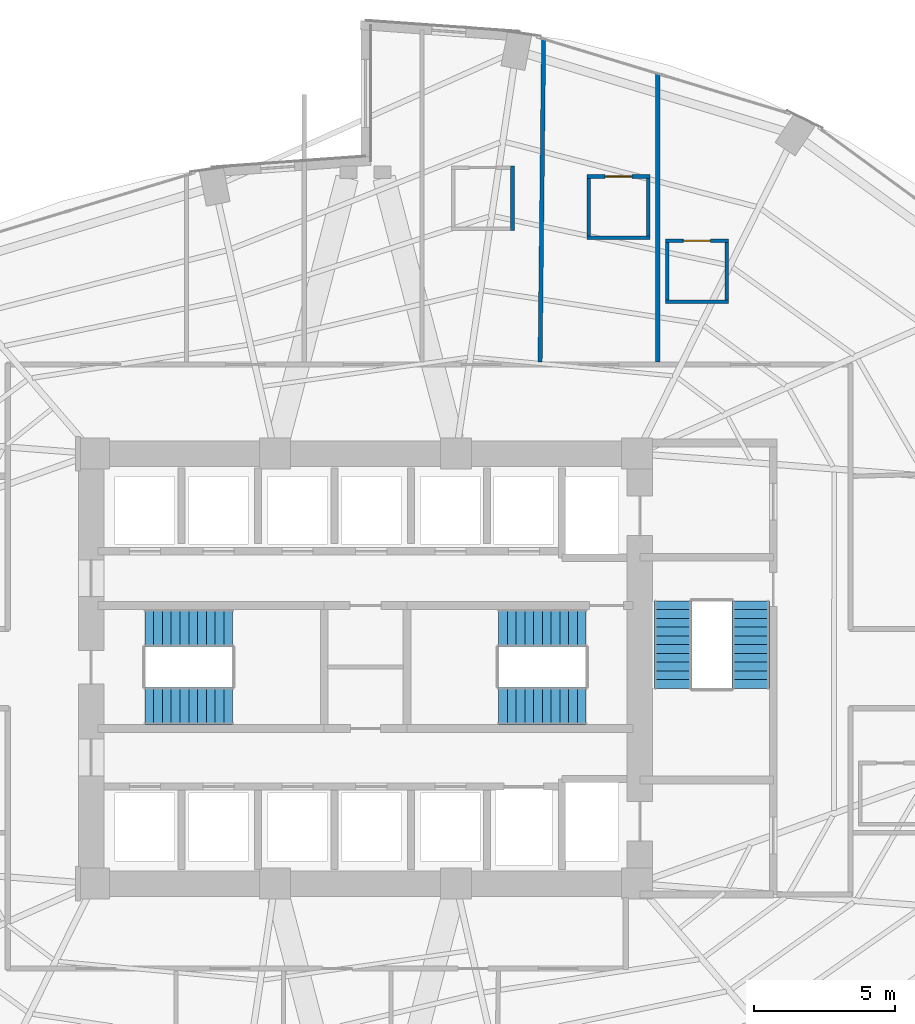
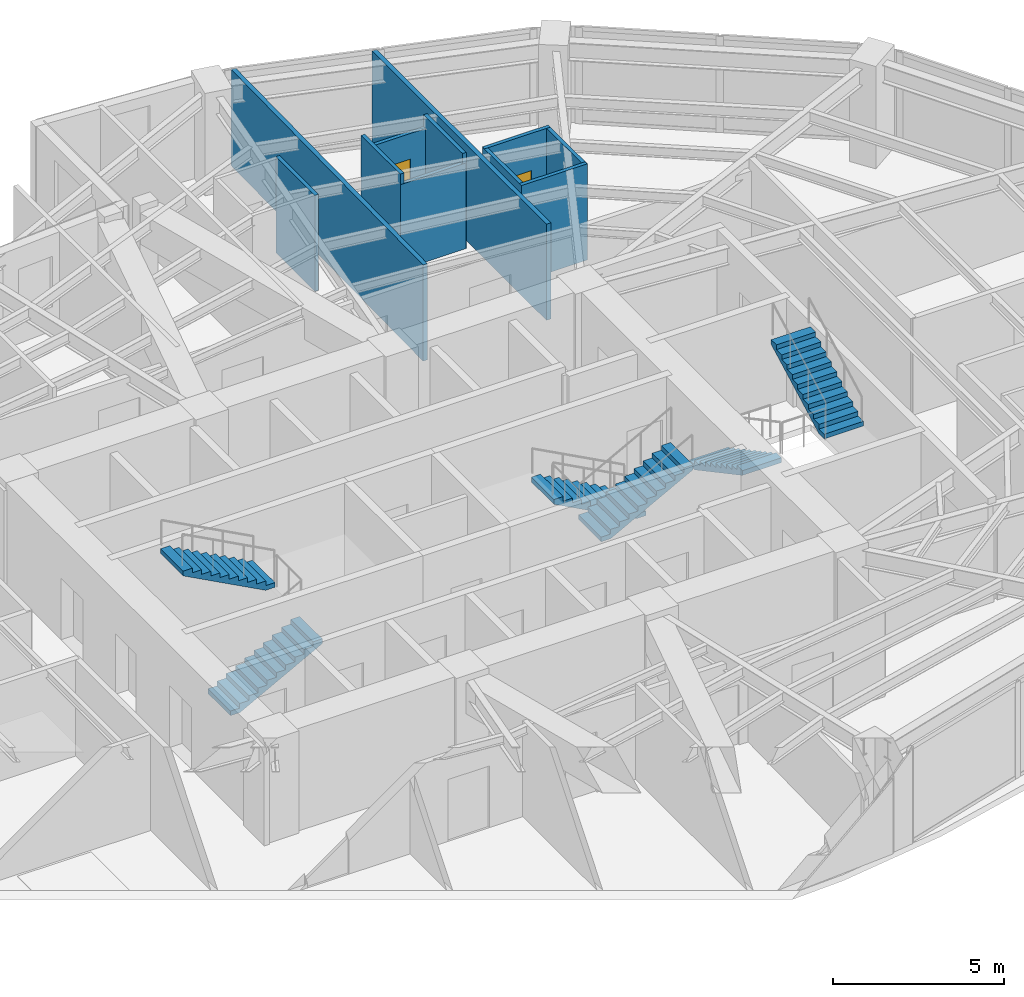
# One storey, part 23 of 25: 11 walls, 6 stair flights, 2 doors, 2 openings, 3 elements without a shape of their own.
"""IFC4 building model written with IfcOpenShell, lengths in metres."""

from ifc_helpers import new_model, si_unit, direction, frame, frame_2d, origin, place, context, subcontext, project, spatial, polyline, rectangle, outline, extrude, material, layer, layer_set, type_object, element, fill, aggregate, save


model = new_model("IFC4")

# Units and contexts
model_context = context("Model", 3, precision=1e-05, world=origin(), true_north=direction((0.0, 1.0)))
body_context = subcontext(model_context, "Body", "Model", "MODEL_VIEW")
ifc_project = project(units=[si_unit("LENGTHUNIT", "METRE"), si_unit("AREAUNIT", "SQUARE_METRE"), si_unit("VOLUMEUNIT", "CUBIC_METRE"), si_unit("PLANEANGLEUNIT", "RADIAN"), si_unit("MASSUNIT", "GRAM", prefix="KILO")], contexts=[model_context])

# Site, building, storey
site_placement = place(None, origin())
site = spatial("IfcSite", under=ifc_project, at=site_placement, CompositionType="ELEMENT")
building_placement = place(site_placement, origin())
building = spatial("IfcBuilding", under=site, at=building_placement, Name="Lazwardi Medical Tower", CompositionType="ELEMENT")
storey_placement = place(building_placement, frame((0.0, 0.0, 32.49609375)))
storey = spatial("IfcBuildingStorey", under=building, at=storey_placement, Name="L07", CompositionType="ELEMENT", Elevation=32.49609375)

# Wall, opening, door
ifc_material_1 = material(Name="Moisture-resistant gypsum board partition")
ifc_layer_1 = layer(ifc_material_1, 0.125)
ifc_layer_set_1 = layer_set([ifc_layer_1], Name="Moisture-resistant gypsum board partition")
wall_type_1 = type_object("IfcWallType", Name="WL-ENS-125", PredefinedType="PARTITIONING", material=ifc_layer_set_1)
wall_1_placement = place(storey_placement, frame((46.60498046875, 43.126953125, 0.0), z_axis=(0.0, 0.0, 1.0), x_axis=(1.0, 0.0, 0.0)))
wall_1 = element("IfcWall", 1, at=wall_1_placement, inside=storey, type_object=wall_type_1, Name="L07 En-suite wall 7N", PredefinedType="PARTITIONING", context=body_context, shape_type="SweptSolid", body=[
    extrude(rectangle(XDim=2.219970703125, YDim=0.125, at=frame_2d((1.10986328125, 0.0))), origin(), (0.0, 0.0, 1.0), 3.427978515625),
])
opening_1_placement = place(wall_1_placement, frame((0.635009765625, 0.0, 0.0)))
opening_1 = element("IfcOpeningElement", 2, at=opening_1_placement, cuts=wall_1, Name="Opening D-L07-006", PredefinedType="OPENING", context=body_context, shape_type="SweptSolid", body=[
    extrude(rectangle(XDim=0.949951171875, YDim=2.10009765625, at=frame_2d((0.47509765625, 1.050048828125))), frame((0.0, 0.072509765625, 0.0), z_axis=(0.0, -1.0, 0.0), x_axis=(1.0, 0.0, 0.0)), (0.0, 0.0, 1.0), 0.14501953125),
])
ifc_material_2 = material(Name="Moisture-resistant laminate door leaf")
door_type = type_object("IfcDoorType", Name="DR-ENS-950", OperationType="NOTDEFINED", PredefinedType="DOOR", material=ifc_material_2)
door_1_placement = place(opening_1_placement, origin())
door_1 = element("IfcDoor", 3, at=door_1_placement, inside=storey, type_object=door_type, Name="L07 En-suite Door 07", OperationType="SINGLE_SWING_LEFT", OverallHeight=2.10009765625, OverallWidth=0.949951171875, PredefinedType="DOOR", context=body_context, shape_type="SweptSolid", body=[
    extrude(rectangle(XDim=0.949951171875, YDim=2.10009765625, at=frame_2d((0.47509765625, 1.050048828125))), frame((0.0, 0.02490234375, 0.0), z_axis=(0.0, -1.0, 0.0), x_axis=(1.0, 0.0, 0.0)), (0.0, 0.0, 1.0), 0.050048828125),
])
fill(opening_1, door_1)

# Walls
wall_2_placement = place(storey_placement, frame((46.60498046875, 40.967041015625, 0.0), z_axis=(0.0, 0.0, 1.0), x_axis=(1.0, 0.0, 0.0)))
element("IfcWall", 4, at=wall_2_placement, inside=storey, type_object=wall_type_1, Name="L07 En-suite wall 7S", PredefinedType="PARTITIONING", context=body_context, shape_type="SweptSolid", body=[
    extrude(rectangle(XDim=2.219970703125, YDim=0.125, at=frame_2d((1.10986328125, 0.0))), origin(), (0.0, 0.0, 1.0), 3.427978515625),
])
for number, where, z_axis, x_axis, name in (
    (5, (48.764892578125, 40.906982421875, 0.0), (0.0, 0.0, 1.0), (0.0, 1.0, 0.0), "L07 En-suite wall 7E"),
    (6, (46.6650390625, 40.906982421875, 0.0), (0.0, 0.0, 1.0), (0.0, 1.0, 0.0), "L07 En-suite wall 7W"),
):
    element("IfcWall", number, at=place(storey_placement, frame(where, z_axis=z_axis, x_axis=x_axis)), inside=storey, type_object=wall_type_1, Name=name, PredefinedType="PARTITIONING", context=body_context, shape_type="SweptSolid", body=[
        extrude(rectangle(XDim=2.280029296875, YDim=0.125, at=frame_2d((1.14013671875, 0.0))), origin(), (0.0, 0.0, 1.0), 3.427978515625),
    ])

# Wall, opening, door
wall_3_placement = place(storey_placement, frame((43.8349609375, 45.3994140625, 0.0), z_axis=(0.0, 0.0, 1.0), x_axis=(1.0, 0.0, 0.0)))
wall_3 = element("IfcWall", 7, at=wall_3_placement, inside=storey, type_object=wall_type_1, Name="L07 En-suite wall 8N", PredefinedType="PARTITIONING", context=body_context, shape_type="SweptSolid", body=[
    extrude(rectangle(XDim=2.219970703125, YDim=0.125, at=frame_2d((1.10986328125, 0.0))), origin(), (0.0, 0.0, 1.0), 3.012939453125),
])
opening_2_placement = place(wall_3_placement, frame((0.635009765625, 0.0, 0.0)))
opening_2 = element("IfcOpeningElement", 8, at=opening_2_placement, cuts=wall_3, Name="Opening D-L07-007", PredefinedType="OPENING", context=body_context, shape_type="SweptSolid", body=[
    extrude(rectangle(XDim=0.949951171875, YDim=2.10009765625, at=frame_2d((0.47509765625, 1.050048828125))), frame((0.0, 0.072509765625, 0.0), z_axis=(0.0, -1.0, 0.0), x_axis=(1.0, 0.0, 0.0)), (0.0, 0.0, 1.0), 0.14501953125),
])
door_2_placement = place(opening_2_placement, origin())
door_2 = element("IfcDoor", 9, at=door_2_placement, inside=storey, type_object=door_type, Name="L07 En-suite Door 08", OperationType="SINGLE_SWING_LEFT", OverallHeight=2.10009765625, OverallWidth=0.949951171875, PredefinedType="DOOR", context=body_context, shape_type="SweptSolid", body=[
    extrude(rectangle(XDim=0.949951171875, YDim=2.10009765625, at=frame_2d((0.47509765625, 1.050048828125))), frame((0.0, 0.02490234375, 0.0), z_axis=(0.0, -1.0, 0.0), x_axis=(1.0, 0.0, 0.0)), (0.0, 0.0, 1.0), 0.050048828125),
])
fill(opening_2, door_2)

# Walls
wall_4_placement = place(storey_placement, frame((43.8349609375, 43.2392578125, 0.0), z_axis=(0.0, 0.0, 1.0), x_axis=(1.0, 0.0, 0.0)))
element("IfcWall", 10, at=wall_4_placement, inside=storey, type_object=wall_type_1, Name="L07 En-suite wall 8S", PredefinedType="PARTITIONING", context=body_context, shape_type="SweptSolid", body=[
    extrude(rectangle(XDim=2.219970703125, YDim=0.125, at=frame_2d((1.10986328125, 0.0))), origin(), (0.0, 0.0, 1.0), 3.052978515625),
])
for number, where, z_axis, x_axis, name in (
    (11, (45.9951171875, 43.17919921875, 0.0), (0.0, 0.0, 1.0), (0.0, 1.0, 0.0), "L07 En-suite wall 8E"),
    (12, (43.89501953125, 43.17919921875, 0.0), (0.0, 0.0, 1.0), (0.0, 1.0, 0.0), "L07 En-suite wall 8W"),
    (13, (41.19580078125, 43.490966796875, 0.0), (0.0, 0.0, 1.0), (0.0, 1.0, 0.0), "L07 En-suite wall 9E"),
):
    element("IfcWall", number, at=place(storey_placement, frame(where, z_axis=z_axis, x_axis=x_axis)), inside=storey, type_object=wall_type_1, Name=name, PredefinedType="PARTITIONING", context=body_context, shape_type="SweptSolid", body=[
        extrude(rectangle(XDim=2.280029296875, YDim=0.125, at=frame_2d((1.14013671875, 0.0))), origin(), (0.0, 0.0, 1.0), 3.427978515625),
    ])
ifc_material_3 = material(Name="Acoustic gypsum board partition")
ifc_layer_2 = layer(ifc_material_3, 0.14990234375)
ifc_layer_set_2 = layer_set([ifc_layer_2], Name="Acoustic gypsum board partition")
wall_type_2 = type_object("IfcWallType", Name="WL-WRD-150", PredefinedType="PARTITIONING", material=ifc_layer_set_2)
wall_5_placement = place(storey_placement, frame((42.1708984375, 38.840087890625, 0.0), z_axis=(0.0, 0.0, 1.0), x_axis=(0.010986468696, 0.999939646932, 0.0)))
element("IfcWall", 14, at=wall_5_placement, inside=storey, type_object=wall_type_2, Name="L07 Room partition 8", PredefinedType="PARTITIONING", context=body_context, shape_type="SweptSolid", body=[
    extrude(rectangle(XDim=11.422119140625, YDim=0.14990234375, at=frame_2d((5.7109375, 0.0))), origin(), (0.0, 0.0, 1.0), 3.427978515625),
])
wall_6_placement = place(storey_placement, frame((46.330078125, 38.840087890625, 0.0), z_axis=(0.0, 0.0, 1.0), x_axis=(0.0, 1.0, 0.0)))
element("IfcWall", 15, at=wall_6_placement, inside=storey, type_object=wall_type_2, Name="L07 Room partition 9", PredefinedType="PARTITIONING", context=body_context, shape_type="SweptSolid", body=[
    extrude(rectangle(XDim=10.1845703125, YDim=0.14990234375, at=frame_2d((5.09228515625, 0.0))), origin(), (0.0, 0.0, 1.0), 3.427978515625),
])

# Stair, stair flights
ifc_material_4 = material(Name="Concrete C45/55", Category="concrete")
stair_type = type_object("IfcStairType", Name="STR-WRD", PredefinedType="HALF_TURN_STAIR", material=ifc_material_4)
stair_1_placement = place(storey_placement, origin())
stair_1 = element("IfcStair", 16, at=stair_1_placement, inside=storey, type_object=stair_type, Name="L07 Protected Exit Stair ST1", PredefinedType="HALF_TURN_STAIR")
stair_flight_type = type_object("IfcStairFlightType", Name="FLT-WRD", PredefinedType="STRAIGHT", material=ifc_material_4)
stair_flight_1_placement = place(storey_placement, frame((28.199951171875, 26.679931640625, 0.0), z_axis=(0.0, 0.0, 1.0), x_axis=(1.0, 0.0, 0.0)))
stair_flight_1 = element("IfcStairFlight", 17, at=stair_flight_1_placement, type_object=stair_flight_type, Name="ST1 flight 1", NumberOfRisers=11, NumberOfTreads=10, PredefinedType="STRAIGHT", RiserHeight=0.165818182, TreadLength=0.31, context=body_context, shape_type="SweptSolid", body=[
    extrude(outline(polyline([(0.0, 0.0), (0.0, 0.165771484375), (0.31005859375, 0.165771484375), (0.31005859375, 0.33154296875), (0.6201171875, 0.33154296875), (0.6201171875, 0.49755859375), (0.929931640625, 0.49755859375), (0.929931640625, 0.663330078125), (1.239990234375, 0.663330078125), (1.239990234375, 0.8291015625), (1.550048828125, 0.8291015625), (1.550048828125, 0.994873046875), (1.860107421875, 0.994873046875), (1.860107421875, 1.16064453125), (2.169921875, 1.16064453125), (2.169921875, 1.32666015625), (2.47998046875, 1.32666015625), (2.47998046875, 1.492431640625), (2.7900390625, 1.492431640625), (2.7900390625, 1.658203125), (3.10009765625, 1.658203125), (3.10009765625, 1.823974609375), (3.10009765625, 1.48828125), (0.31787109375, 0.0), (0.0, 0.0)])), frame((0.0, 0.66015625, 0.0), z_axis=(0.0, -1.0, 0.0), x_axis=(1.0, 0.0, 0.0)), (0.0, 0.0, 1.0), 1.320068359375),
])
stair_flight_2_placement = place(storey_placement, frame((31.300048828125, 29.43994140625, 1.823974609375), z_axis=(0.0, 0.0, 1.0), x_axis=(-1.0, 0.0, 0.0)))
stair_flight_2 = element("IfcStairFlight", 18, at=stair_flight_2_placement, type_object=stair_flight_type, Name="ST1 flight 2", NumberOfRisers=11, NumberOfTreads=10, PredefinedType="STRAIGHT", RiserHeight=0.165818182, TreadLength=0.31, context=body_context, shape_type="SweptSolid", body=[
    extrude(outline(polyline([(0.0, 0.0), (0.0, 0.165771484375), (0.31005859375, 0.165771484375), (0.31005859375, 0.33154296875), (0.6201171875, 0.33154296875), (0.6201171875, 0.49755859375), (0.929931640625, 0.49755859375), (0.929931640625, 0.663330078125), (1.239990234375, 0.663330078125), (1.239990234375, 0.8291015625), (1.550048828125, 0.8291015625), (1.550048828125, 0.994873046875), (1.860107421875, 0.994873046875), (1.860107421875, 1.16064453125), (2.169921875, 1.16064453125), (2.169921875, 1.32666015625), (2.47998046875, 1.32666015625), (2.47998046875, 1.492431640625), (2.7900390625, 1.492431640625), (2.7900390625, 1.658203125), (3.10009765625, 1.658203125), (3.10009765625, 1.823974609375), (3.10009765625, 1.48828125), (0.31787109375, 0.0), (0.0, 0.0)])), frame((0.0, 0.66015625, 0.0), z_axis=(0.0, -1.0, 0.0), x_axis=(1.0, 0.0, 0.0)), (0.0, 0.0, 1.0), 1.320068359375),
])
aggregate(stair_1, [stair_flight_1, stair_flight_2])

stair_2_placement = place(storey_placement, origin())
stair_2 = element("IfcStair", 19, at=stair_2_placement, inside=storey, type_object=stair_type, Name="L07 Protected Exit Stair ST2", PredefinedType="HALF_TURN_STAIR")
stair_flight_3_placement = place(storey_placement, frame((43.800048828125, 29.43994140625, 0.0), z_axis=(0.0, 0.0, 1.0), x_axis=(-1.0, 0.0, 0.0)))
stair_flight_3 = element("IfcStairFlight", 20, at=stair_flight_3_placement, type_object=stair_flight_type, Name="ST2 flight 1", NumberOfRisers=11, NumberOfTreads=10, PredefinedType="STRAIGHT", RiserHeight=0.165818182, TreadLength=0.31, context=body_context, shape_type="SweptSolid", body=[
    extrude(outline(polyline([(0.0, 0.0), (0.0, 0.165771484375), (0.31005859375, 0.165771484375), (0.31005859375, 0.33154296875), (0.6201171875, 0.33154296875), (0.6201171875, 0.49755859375), (0.929931640625, 0.49755859375), (0.929931640625, 0.663330078125), (1.239990234375, 0.663330078125), (1.239990234375, 0.8291015625), (1.550048828125, 0.8291015625), (1.550048828125, 0.994873046875), (1.860107421875, 0.994873046875), (1.860107421875, 1.16064453125), (2.169921875, 1.16064453125), (2.169921875, 1.32666015625), (2.47998046875, 1.32666015625), (2.47998046875, 1.492431640625), (2.7900390625, 1.492431640625), (2.7900390625, 1.658203125), (3.10009765625, 1.658203125), (3.10009765625, 1.823974609375), (3.10009765625, 1.48828125), (0.31787109375, 0.0), (0.0, 0.0)])), frame((0.0, 0.66015625, 0.0), z_axis=(0.0, -1.0, 0.0), x_axis=(1.0, 0.0, 0.0)), (0.0, 0.0, 1.0), 1.320068359375),
])
stair_flight_4_placement = place(storey_placement, frame((40.699951171875, 26.679931640625, 1.823974609375), z_axis=(0.0, 0.0, 1.0), x_axis=(1.0, 0.0, 0.0)))
stair_flight_4 = element("IfcStairFlight", 21, at=stair_flight_4_placement, type_object=stair_flight_type, Name="ST2 flight 2", NumberOfRisers=11, NumberOfTreads=10, PredefinedType="STRAIGHT", RiserHeight=0.165818182, TreadLength=0.31, context=body_context, shape_type="SweptSolid", body=[
    extrude(outline(polyline([(0.0, 0.0), (0.0, 0.165771484375), (0.31005859375, 0.165771484375), (0.31005859375, 0.33154296875), (0.6201171875, 0.33154296875), (0.6201171875, 0.49755859375), (0.929931640625, 0.49755859375), (0.929931640625, 0.663330078125), (1.239990234375, 0.663330078125), (1.239990234375, 0.8291015625), (1.550048828125, 0.8291015625), (1.550048828125, 0.994873046875), (1.860107421875, 0.994873046875), (1.860107421875, 1.16064453125), (2.169921875, 1.16064453125), (2.169921875, 1.32666015625), (2.47998046875, 1.32666015625), (2.47998046875, 1.492431640625), (2.7900390625, 1.492431640625), (2.7900390625, 1.658203125), (3.10009765625, 1.658203125), (3.10009765625, 1.823974609375), (3.10009765625, 1.48828125), (0.31787109375, 0.0), (0.0, 0.0)])), frame((0.0, 0.66015625, 0.0), z_axis=(0.0, -1.0, 0.0), x_axis=(1.0, 0.0, 0.0)), (0.0, 0.0, 1.0), 1.320068359375),
])
aggregate(stair_2, [stair_flight_3, stair_flight_4])

stair_3_placement = place(storey_placement, origin())
stair_3 = element("IfcStair", 22, at=stair_3_placement, inside=storey, type_object=stair_type, Name="L07 Protected Exit Stair ST3", PredefinedType="HALF_TURN_STAIR")
stair_flight_5_placement = place(storey_placement, frame((46.860107421875, 30.39990234375, 0.0), z_axis=(0.0, 0.0, 1.0), x_axis=(0.0, -1.0, 0.0)))
stair_flight_5 = element("IfcStairFlight", 23, at=stair_flight_5_placement, type_object=stair_flight_type, Name="ST3 flight 1", NumberOfRisers=11, NumberOfTreads=10, PredefinedType="STRAIGHT", RiserHeight=0.165818182, TreadLength=0.31, context=body_context, shape_type="SweptSolid", body=[
    extrude(outline(polyline([(0.0, 0.0), (0.0, 0.165771484375), (0.31005859375, 0.165771484375), (0.31005859375, 0.33154296875), (0.6201171875, 0.33154296875), (0.6201171875, 0.49755859375), (0.929931640625, 0.49755859375), (0.929931640625, 0.663330078125), (1.239990234375, 0.663330078125), (1.239990234375, 0.8291015625), (1.550048828125, 0.8291015625), (1.550048828125, 0.994873046875), (1.860107421875, 0.994873046875), (1.860107421875, 1.16064453125), (2.169921875, 1.16064453125), (2.169921875, 1.32666015625), (2.47998046875, 1.32666015625), (2.47998046875, 1.492431640625), (2.7900390625, 1.492431640625), (2.7900390625, 1.658203125), (3.10009765625, 1.658203125), (3.10009765625, 1.823974609375), (3.10009765625, 1.48828125), (0.31787109375, 0.0), (0.0, 0.0)])), frame((0.0, 0.66015625, 0.0), z_axis=(0.0, -1.0, 0.0), x_axis=(1.0, 0.0, 0.0)), (0.0, 0.0, 1.0), 1.320068359375),
])
stair_flight_6_placement = place(storey_placement, frame((49.6201171875, 27.300048828125, 1.823974609375), z_axis=(0.0, 0.0, 1.0), x_axis=(0.0, 1.0, 0.0)))
stair_flight_6 = element("IfcStairFlight", 24, at=stair_flight_6_placement, type_object=stair_flight_type, Name="ST3 flight 2", NumberOfRisers=11, NumberOfTreads=10, PredefinedType="STRAIGHT", RiserHeight=0.165818182, TreadLength=0.31, context=body_context, shape_type="SweptSolid", body=[
    extrude(outline(polyline([(0.0, 0.0), (0.0, 0.165771484375), (0.31005859375, 0.165771484375), (0.31005859375, 0.33154296875), (0.6201171875, 0.33154296875), (0.6201171875, 0.49755859375), (0.929931640625, 0.49755859375), (0.929931640625, 0.663330078125), (1.239990234375, 0.663330078125), (1.239990234375, 0.8291015625), (1.550048828125, 0.8291015625), (1.550048828125, 0.994873046875), (1.860107421875, 0.994873046875), (1.860107421875, 1.16064453125), (2.169921875, 1.16064453125), (2.169921875, 1.32666015625), (2.47998046875, 1.32666015625), (2.47998046875, 1.492431640625), (2.7900390625, 1.492431640625), (2.7900390625, 1.658203125), (3.10009765625, 1.658203125), (3.10009765625, 1.823974609375), (3.10009765625, 1.48828125), (0.31787109375, 0.0), (0.0, 0.0)])), frame((0.0, 0.66015625, 0.0), z_axis=(0.0, -1.0, 0.0), x_axis=(1.0, 0.0, 0.0)), (0.0, 0.0, 1.0), 1.320068359375),
])
aggregate(stair_3, [stair_flight_5, stair_flight_6])

save(model, "model.ifc")
